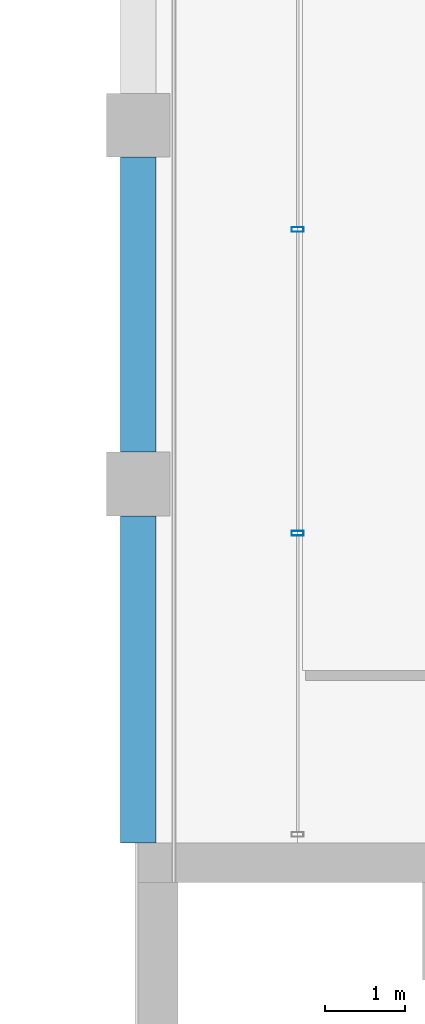
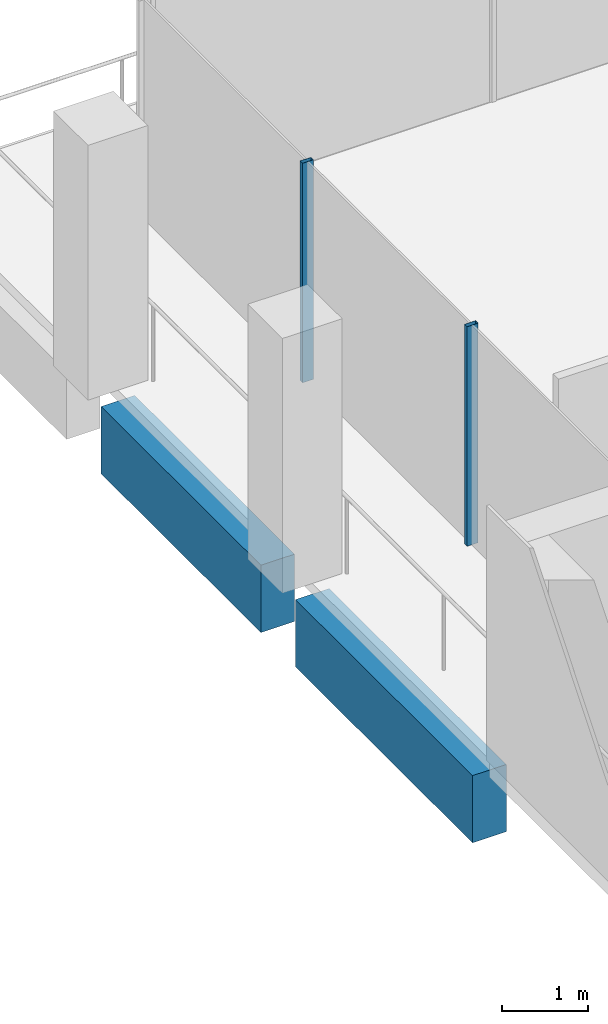
# One storey, part 20 of 30: 2 beams, 2 members, 1 element without a shape of its own.
"""IFC4 building model written with IfcOpenShell, lengths in metres."""

import ifcopenshell
import ifcopenshell.guid

model = None  # the IFC model being written
_history = None  # IfcOwnerHistory: only IFC2X3 demands one
_inside = {}  # id of a spatial element -> (the spatial element, [elements in it])
_under = {}  # id of a project, library or spatial element -> (it, [spatial elements below it])
_declared = {}  # id of a project -> (the project, [libraries it declares])
_typed = {}  # id of a type object -> (the type object, [elements of that type])
_made_of = {}  # id of a material, layer set ... -> (it, [elements and type objects made of it])


def new_model(schema):
    """Start an empty IFC model of exactly this schema.

    Asked for "IFC4X3", IfcOpenShell would pick the latest addendum, in which some entities
    have other attributes; the version numbers below select the first issue.
    IFC2X3 requires an IfcOwnerHistory on every rooted entity: one is made here for all.
    """
    global model, _history
    if schema == "IFC4X3":
        model = ifcopenshell.file(schema_version=(4, 3, 0, 0))
    else:
        model = ifcopenshell.file(schema=schema)
    _inside.clear()
    _under.clear()
    _declared.clear()
    _typed.clear()
    _made_of.clear()
    _history = None
    if model.schema == "IFC2X3":
        org = make("IfcOrganization", Name="unknown")
        user = make(
            "IfcPersonAndOrganization",
            ThePerson=make("IfcPerson", FamilyName="unknown"),
            TheOrganization=org,
        )
        app = make(
            "IfcApplication",
            ApplicationDeveloper=org,
            Version="unknown",
            ApplicationFullName="unknown",
            ApplicationIdentifier="unknown",
        )
        _history = make(
            "IfcOwnerHistory",
            OwningUser=user,
            OwningApplication=app,
            ChangeAction="ADDED",
            CreationDate=0,
        )
    return model


def make(cls, **values):
    """One entity of the class cls with the attributes given. An attribute that is None is left unset."""
    return model.create_entity(
        cls, **{name: value for name, value in values.items() if value is not None}
    )


def rooted(cls, **values):
    """An entity with a GlobalId (a new one), such as an element, a storey or a relation."""
    return make(cls, GlobalId=ifcopenshell.guid.new(), OwnerHistory=_history, **values)


def si_unit(unit_type, name, prefix=None):
    """IfcSIUnit, for example si_unit("LENGTHUNIT", "METRE", prefix="MILLI")."""
    return make("IfcSIUnit", UnitType=unit_type, Prefix=prefix, Name=name)


def assignment(units):
    """IfcUnitAssignment: the units of a project."""
    return None if units is None else make("IfcUnitAssignment", Units=units)


def point(xyz):
    """IfcCartesianPoint."""
    return None if xyz is None else make("IfcCartesianPoint", Coordinates=xyz)


def direction(xyz):
    """IfcDirection."""
    return None if xyz is None else make("IfcDirection", DirectionRatios=xyz)


def frame(location, z_axis=None, x_axis=None):
    """IfcAxis2Placement3D, a coordinate frame: its origin and axes. An axis left out is left unset."""
    return make(
        "IfcAxis2Placement3D",
        Location=point(location),
        Axis=direction(z_axis),
        RefDirection=direction(x_axis),
    )


def frame_2d(location, x_axis=None):
    """IfcAxis2Placement2D, a coordinate frame in the plane: its origin and x axis."""
    return make(
        "IfcAxis2Placement2D", Location=point(location), RefDirection=direction(x_axis)
    )


def origin():
    """The frame at (0, 0, 0) with its axes left unset."""
    return frame((0.0, 0.0, 0.0))


def origin_2d():
    """The frame at (0, 0) in the plane with its x axis left unset."""
    return frame_2d((0.0, 0.0))


def place(relative_to, where):
    """IfcLocalPlacement: puts the frame where relative to a parent placement (None: the world)."""
    return make(
        "IfcLocalPlacement", PlacementRelTo=relative_to, RelativePlacement=where
    )


def context(
    kind, dimensions, precision=None, world=None, true_north=None, identifier=None
):
    """IfcGeometricRepresentationContext, for example the 3D "Model" context."""
    return make(
        "IfcGeometricRepresentationContext",
        ContextIdentifier=identifier,
        ContextType=kind,
        CoordinateSpaceDimension=dimensions,
        Precision=precision,
        WorldCoordinateSystem=world,
        TrueNorth=true_north,
    )


def subcontext(parent, identifier, kind, view, scale=None):
    """IfcGeometricRepresentationSubContext, for example "Body" below "Model"."""
    return make(
        "IfcGeometricRepresentationSubContext",
        ContextIdentifier=identifier,
        ContextType=kind,
        ParentContext=parent,
        TargetScale=scale,
        TargetView=view,
    )


def project(units=None, contexts=None):
    """IfcProject with its units and contexts."""
    return rooted(
        "IfcProject",
        Name="project",
        RepresentationContexts=contexts,
        UnitsInContext=assignment(units),
    )


def spatial(cls, under=None, at=None, **own):
    """A site, building, storey or space (cls), placed at a placement, below another one or the project."""
    s = rooted(cls, ObjectPlacement=at, **own)
    if under is not None:
        _under.setdefault(under.id(), (under, []))[1].append(s)
    return s


def profile(cls, at=None, kind="AREA", **sizes):
    """A parametric profile (cls). Its sizes go by their IFC names, for example OverallWidth=200.0."""
    return make(cls, ProfileType=kind, Position=at, **sizes)


def rectangle(**sizes):
    """IfcRectangleProfileDef."""
    return profile("IfcRectangleProfileDef", **sizes)


def hollow_rectangle(**sizes):
    """IfcRectangleHollowProfileDef."""
    return profile("IfcRectangleHollowProfileDef", **sizes)


def extrude(swept, where, along, depth):
    """IfcExtrudedAreaSolid: the profile swept, set in the frame where, extruded along a direction by depth."""
    return make(
        "IfcExtrudedAreaSolid",
        SweptArea=swept,
        Position=where,
        ExtrudedDirection=direction(along),
        Depth=depth,
    )


def shape(context_of_items, identifier, shape_type, items):
    """IfcShapeRepresentation: the items that make up one representation, for example the "Body"."""
    return make(
        "IfcShapeRepresentation",
        ContextOfItems=context_of_items,
        RepresentationIdentifier=identifier,
        RepresentationType=shape_type,
        Items=items,
    )


def material(Name=None, Category=None):
    """IfcMaterial."""
    return make("IfcMaterial", Name=Name, Category=Category)


def material_profile(
    of_material, cross_section, Name=None, Category=None, Priority=None
):
    """IfcMaterialProfile: a cross section and its material."""
    return make(
        "IfcMaterialProfile",
        Name=Name,
        Material=of_material,
        Profile=cross_section,
        Priority=Priority,
        Category=Category,
    )


def profile_set(profiles, Name=None, composite=None):
    """IfcMaterialProfileSet."""
    return make(
        "IfcMaterialProfileSet",
        Name=Name,
        MaterialProfiles=profiles,
        CompositeProfile=composite,
    )


def made_of(thing, what):
    """Note that an element or type object is made of a material, layer set ...; save() writes the relation."""
    if what is not None:
        _made_of.setdefault(what.id(), (what, []))[1].append(thing)
    return thing


def type_object(cls, material=None, **own):
    """A type object (cls), such as IfcWallType, which elements share."""
    return made_of(rooted(cls, **own), material)


def element(
    cls,
    number,
    at=None,
    inside=None,
    cuts=None,
    type_object=None,
    material=None,
    context=None,
    identifier="Body",
    shape_type=None,
    held_by="IfcProductDefinitionShape",
    body=None,
    shapes=None,
    **own,
):
    """One element of the class cls, such as IfcWall. Its Tag is "e" and its number.

    at: its placement. inside: the storey or other place that contains it. cuts: it is an
    opening in that element (IfcRelVoidsElement). A single representation is given by context,
    identifier, shape_type and body (its items); several are given by shapes. held_by: the class
    of the entity that holds the representations. save() writes the other relations.
    """
    e = rooted(cls, Tag="e%d" % number, ObjectPlacement=at, **own)
    if body is not None:
        shapes = [shape(context, identifier, shape_type, body)]
    if shapes is not None:
        e.Representation = make(held_by, Representations=shapes)
    if inside is not None:
        _inside.setdefault(inside.id(), (inside, []))[1].append(e)
    if cuts is not None:
        rooted(
            "IfcRelVoidsElement", RelatingBuildingElement=cuts, RelatedOpeningElement=e
        )
    if type_object is not None:
        _typed.setdefault(type_object.id(), (type_object, []))[1].append(e)
    return made_of(e, material)


def aggregate(whole, parts):
    """IfcRelAggregates: a whole, such as a stair, and the parts it consists of."""
    return rooted("IfcRelAggregates", RelatingObject=whole, RelatedObjects=parts)


def save(model, path):
    """Write the relations noted so far, then the file.

    IfcRelAggregates (storeys below a building ...), IfcRelContainedInSpatialStructure (elements
    in a storey), IfcRelDefinesByType, IfcRelAssociatesMaterial and IfcRelDeclares: one each for
    every whole, place, type object, material and project.
    """
    for whole, parts in _under.values():
        aggregate(whole, parts)
    for where, things in _inside.values():
        rooted(
            "IfcRelContainedInSpatialStructure",
            RelatedElements=things,
            RelatingStructure=where,
        )
    for kind, things in _typed.values():
        rooted("IfcRelDefinesByType", RelatedObjects=things, RelatingType=kind)
    for what, things in _made_of.values():
        rooted("IfcRelAssociatesMaterial", RelatedObjects=things, RelatingMaterial=what)
    for by, libraries in _declared.values():
        rooted("IfcRelDeclares", RelatingContext=by, RelatedDefinitions=libraries)
    model.write(path)


model = new_model("IFC4")

# Units and contexts
model_context = context("Model", 3, precision=1e-05, world=origin(), true_north=direction((0.0, 1.0)))
body_context = subcontext(model_context, "Body", "Model", "MODEL_VIEW")
ifc_project = project(units=[si_unit("LENGTHUNIT", "METRE"), si_unit("AREAUNIT", "SQUARE_METRE"), si_unit("VOLUMEUNIT", "CUBIC_METRE"), si_unit("PLANEANGLEUNIT", "RADIAN"), si_unit("MASSUNIT", "GRAM", prefix="KILO")], contexts=[model_context])

# Site, building, storey
site_placement = place(None, origin())
site = spatial("IfcSite", under=ifc_project, at=site_placement, CompositionType="ELEMENT")
building_placement = place(site_placement, origin())
building = spatial("IfcBuilding", under=site, at=building_placement, Name="Altepetl Exchange Towers", CompositionType="ELEMENT")
storey_placement = place(building_placement, frame((0.0, 0.0, 242.39990234375)))
storey = spatial("IfcBuildingStorey", under=building, at=storey_placement, Name="L62", CompositionType="ELEMENT", Elevation=242.39990234375)

# Curtain wall, members
ifc_material_1 = material(Name="Aluminium 6063-T6 glazing", Category="aluminium")
curtain_wall_type = type_object("IfcCurtainWallType", Name="Loggia glazing system", PredefinedType="NOTDEFINED", material=ifc_material_1)
curtain_wall_placement = place(storey_placement, origin())
curtain_wall = element("IfcCurtainWall", 1, at=curtain_wall_placement, inside=storey, type_object=curtain_wall_type, Name="CW1 run", PredefinedType="NOTDEFINED")
ifc_material_2 = material(Name="Aluminium 6063-T6", Category="aluminium")
ifc_material_profile_1 = material_profile(ifc_material_2, hollow_rectangle(XDim=0.06005859375, YDim=0.14990234375, WallThickness=0.0029296875, at=origin_2d()), Name="Mullion 60x150 aluminium")
ifc_profile_set_1 = profile_set([ifc_material_profile_1], Name="Aluminium 6063-T6")
member_type = type_object("IfcMemberType", Name="Mullion 60x150 aluminium", PredefinedType="MULLION", material=ifc_profile_set_1)
member_1_placement = place(storey_placement, frame((42.5, 66.191650390625, 0.0), z_axis=(0.0, 0.0, 1.0), x_axis=(0.0, -1.0, 0.0)))
member_1 = element("IfcMember", 2, at=member_1_placement, type_object=member_type, Name="MU1 mullion", PredefinedType="MULLION", context=body_context, shape_type="SweptSolid", body=[
    extrude(hollow_rectangle(XDim=0.06005859375, YDim=0.14990234375, WallThickness=0.0029296875, at=origin_2d()), origin(), (0.0, 0.0, 1.0), 3.10009765625),
])
member_2_placement = place(storey_placement, frame((42.5, 62.38330078125, 0.0), z_axis=(0.0, 0.0, 1.0), x_axis=(0.0, -1.0, 0.0)))
member_2 = element("IfcMember", 3, at=member_2_placement, type_object=member_type, Name="MU1 mullion", PredefinedType="MULLION", context=body_context, shape_type="SweptSolid", body=[
    extrude(hollow_rectangle(XDim=0.06005859375, YDim=0.14990234375, WallThickness=0.0029296875, at=origin_2d()), origin(), (0.0, 0.0, 1.0), 3.10009765625),
])
aggregate(curtain_wall, [member_1, member_2])

# Beams
ifc_material_3 = material(Name="Concrete C50/60 precast with tezontle facing", Category="concrete")
ifc_material_profile_2 = material_profile(ifc_material_3, rectangle(XDim=0.449951171875, YDim=0.949951171875, at=origin_2d()), Name="450 x 950")
ifc_profile_set_2 = profile_set([ifc_material_profile_2], Name="Concrete C50/60 precast with tezontle facing")
beam_type = type_object("IfcBeamType", Name="Spandrel beam 450x950 tezontle", PredefinedType="SPANDREL", material=ifc_profile_set_2)
beam_1_placement = place(storey_placement, frame((40.5, 67.10009765625, -0.625), z_axis=(0.0, -1.0, 0.0), x_axis=(1.0, 0.0, 0.0)))
element("IfcBeam", 4, at=beam_1_placement, inside=storey, type_object=beam_type, Name="sp:A:L62:031", PredefinedType="SPANDREL", context=body_context, shape_type="SweptSolid", body=[
    extrude(rectangle(XDim=0.449951171875, YDim=0.949951171875, at=origin_2d()), origin(), (0.0, 0.0, 1.0), 3.7001953125),
])
beam_2_placement = place(storey_placement, frame((40.5, 62.60009765625, -0.625), z_axis=(0.0, -1.0, 0.0), x_axis=(1.0, 0.0, 0.0)))
element("IfcBeam", 5, at=beam_2_placement, inside=storey, type_object=beam_type, Name="sp:A:L62:032", PredefinedType="SPANDREL", context=body_context, shape_type="SweptSolid", body=[
    extrude(rectangle(XDim=0.449951171875, YDim=0.949951171875, at=origin_2d()), origin(), (0.0, 0.0, 1.0), 4.10009765625),
])

save(model, "model.ifc")
